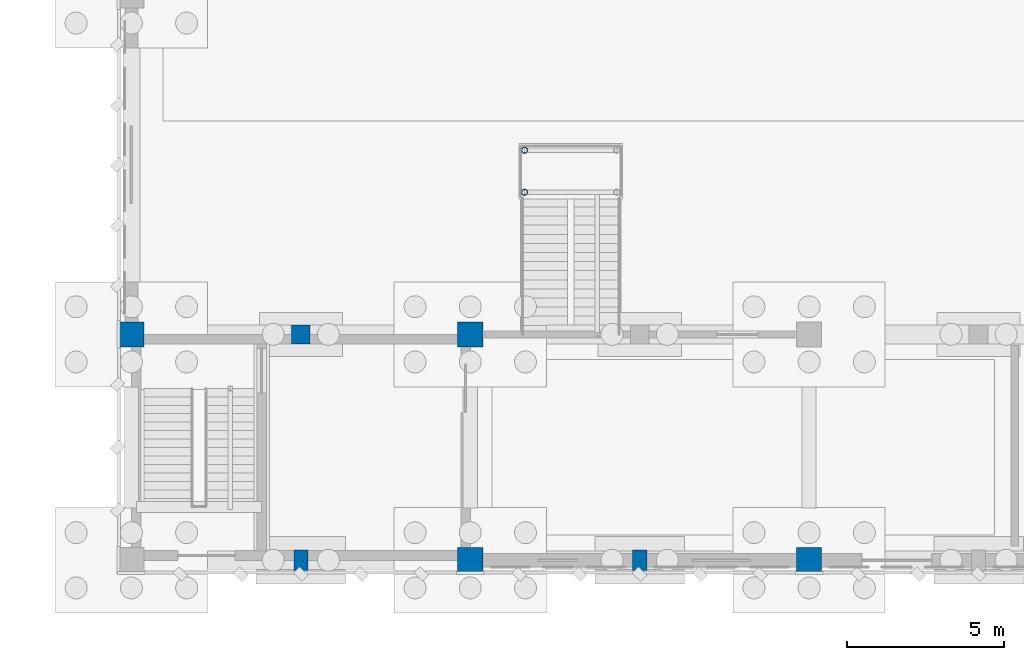
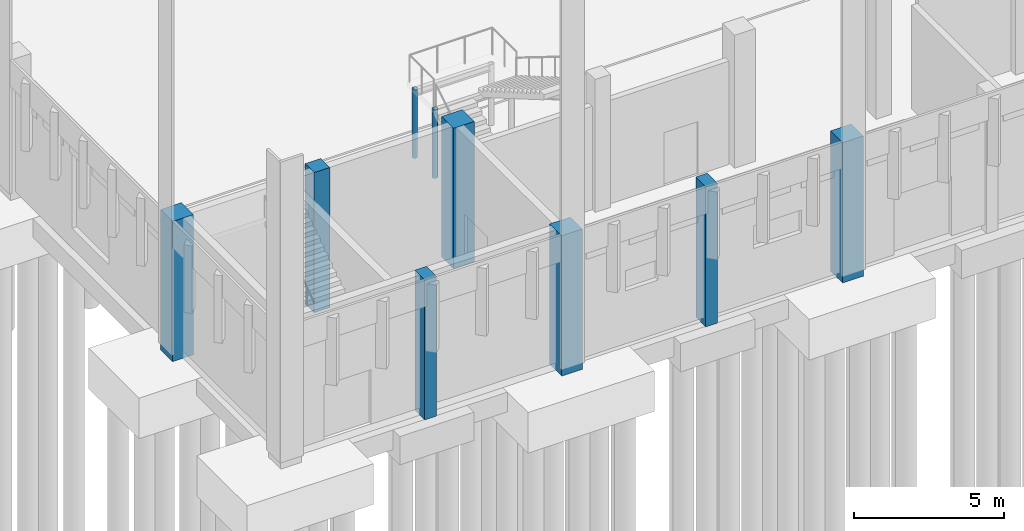
# One storey, part 11 of 109: 9 columns.
"""IFC4 building model written with IfcOpenShell, lengths in metres."""

from ifc_helpers import new_model, si_unit, direction, frame, origin, origin_2d, place, context, subcontext, project, spatial, rectangle, hollow_circle, extrude, material, material_profile, profile_set, type_object, element, save


model = new_model("IFC4")

# Units and contexts
model_context = context("Model", 3, precision=1e-05, world=origin(), true_north=direction((0.0, 1.0)))
body_context = subcontext(model_context, "Body", "Model", "MODEL_VIEW")
ifc_project = project(units=[si_unit("LENGTHUNIT", "METRE"), si_unit("AREAUNIT", "SQUARE_METRE"), si_unit("VOLUMEUNIT", "CUBIC_METRE"), si_unit("PLANEANGLEUNIT", "RADIAN"), si_unit("MASSUNIT", "GRAM", prefix="KILO")], contexts=[model_context])

# Site, building, storey
site_placement = place(None, origin())
site = spatial("IfcSite", under=ifc_project, at=site_placement, CompositionType="ELEMENT")
building_placement = place(site_placement, origin())
building = spatial("IfcBuilding", under=site, at=building_placement, Name="Lusvemor Sports Hall", CompositionType="ELEMENT")
storey_placement = place(building_placement, origin())
storey = spatial("IfcBuildingStorey", under=building, at=storey_placement, Name="L00", CompositionType="ELEMENT", Elevation=0.0)

# Columns
ifc_material_1 = material(Name="Concrete C40/50", Category="concrete")
ifc_material_profile_1 = material_profile(ifc_material_1, rectangle(XDim=0.800048828125, YDim=0.800048828125, at=origin_2d()), Name="RC800x800")
ifc_profile_set_1 = profile_set([ifc_material_profile_1], Name="Concrete C40/50")
column_type_1 = type_object("IfcColumnType", Name="COL_HALL_W", PredefinedType="COLUMN", material=ifc_profile_set_1)
for number, where, z_axis, x_axis, name in (
    (1, (0.0, 7.199951171875, -0.300048828125), (0.0, 0.0, 1.0), (1.0, 0.0, 0.0), "Column 1/B (L00)"),
    (2, (10.800048828125, 0.0, -0.300048828125), (0.0, 0.0, 1.0), (1.0, 0.0, 0.0), "Column 2/A (L00)"),
    (3, (10.800048828125, 7.199951171875, -0.300048828125), (0.0, 0.0, 1.0), (1.0, 0.0, 0.0), "Column 2/B (L00)"),
    (4, (21.60009765625, 0.0, -0.300048828125), (0.0, 0.0, 1.0), (1.0, 0.0, 0.0), "Column 3/A (L00)"),
):
    element("IfcColumn", number, at=place(storey_placement, frame(where, z_axis=z_axis, x_axis=x_axis)), inside=storey, type_object=column_type_1, Name=name, PredefinedType="COLUMN", context=body_context, shape_type="SweptSolid", body=[
        extrude(rectangle(XDim=0.800048828125, YDim=0.800048828125, at=origin_2d()), origin(), (0.0, 0.0, 1.0), 5.699951171875),
    ])
ifc_material_2 = material(Name="Steel S355", Category="steel")
ifc_material_profile_2 = material_profile(ifc_material_2, hollow_circle(Radius=0.096923828125, WallThickness=0.010009765625, at=origin_2d()), Name="CHS193.7x10.0")
ifc_profile_set_2 = profile_set([ifc_material_profile_2], Name="Steel S355")
column_type_2 = type_object("IfcColumnType", Name="COL_STAIR_POST", PredefinedType="COLUMN", material=ifc_profile_set_2)
for number, where, z_axis, x_axis, name in (
    (5, (12.530029296875, 11.72998046875, -0.300048828125), (0.0, 0.0, 1.0), (1.0, 0.0, 0.0), "Feature Stair STR-V1-GAL-W Post 1"),
    (6, (12.530029296875, 13.070068359375, -0.300048828125), (0.0, 0.0, 1.0), (1.0, 0.0, 0.0), "Feature Stair STR-V1-GAL-W Post 3"),
):
    element("IfcColumn", number, at=place(storey_placement, frame(where, z_axis=z_axis, x_axis=x_axis)), inside=storey, type_object=column_type_2, Name=name, PredefinedType="COLUMN", context=body_context, shape_type="SweptSolid", body=[
        extrude(hollow_circle(Radius=0.096923828125, WallThickness=0.010009765625, at=origin_2d()), origin(), (0.0, 0.0, 1.0), 2.781982421875),
    ])
ifc_material_3 = material(Name="Concrete C40/50", Category="concrete")
ifc_material_profile_3 = material_profile(ifc_material_3, rectangle(XDim=0.60009765625, YDim=0.60009765625, at=origin_2d()), Name="RC600x600")
ifc_profile_set_3 = profile_set([ifc_material_profile_3], Name="Concrete C40/50")
column_type_3 = type_object("IfcColumnType", Name="COL_WING_L", PredefinedType="COLUMN", material=ifc_profile_set_3)
column_placement = place(storey_placement, frame((5.39990234375, 7.199951171875, -0.300048828125), z_axis=(0.0, 0.0, 1.0), x_axis=(1.0, 0.0, 0.0)))
element("IfcColumn", 7, at=column_placement, inside=storey, type_object=column_type_3, Name="Wave Mid-Bay Column S1 (L00)", PredefinedType="COLUMN", context=body_context, shape_type="SweptSolid", body=[
    extrude(rectangle(XDim=0.60009765625, YDim=0.60009765625, at=origin_2d()), origin(), (0.0, 0.0, 1.0), 5.699951171875),
])
ifc_material_4 = material(Name="Concrete C40/50", Category="concrete")
ifc_material_profile_4 = material_profile(ifc_material_4, rectangle(XDim=0.449951171875, YDim=0.64990234375, at=origin_2d()), Name="RC450x650")
ifc_profile_set_4 = profile_set([ifc_material_profile_4], Name="Concrete C40/50")
column_type_4 = type_object("IfcColumnType", Name="PIL_BOUL_E", PredefinedType="PILASTER", material=ifc_profile_set_4)
for number, where, z_axis, x_axis, name in (
    (8, (16.199951171875, 0.0, -0.300048828125), (0.0, 0.0, 1.0), (1.0, 0.0, 0.0), "Boulevard Pilaster S1 (L00)"),
    (9, (5.39990234375, 0.0, -0.300048828125), (0.0, 0.0, 1.0), (1.0, 0.0, 0.0), "Boulevard Pilaster S0 (L00)"),
):
    element("IfcColumn", number, at=place(storey_placement, frame(where, z_axis=z_axis, x_axis=x_axis)), inside=storey, type_object=column_type_4, Name=name, PredefinedType="PILASTER", context=body_context, shape_type="SweptSolid", body=[
        extrude(rectangle(XDim=0.449951171875, YDim=0.64990234375, at=origin_2d()), origin(), (0.0, 0.0, 1.0), 5.699951171875),
    ])

save(model, "model.ifc")
